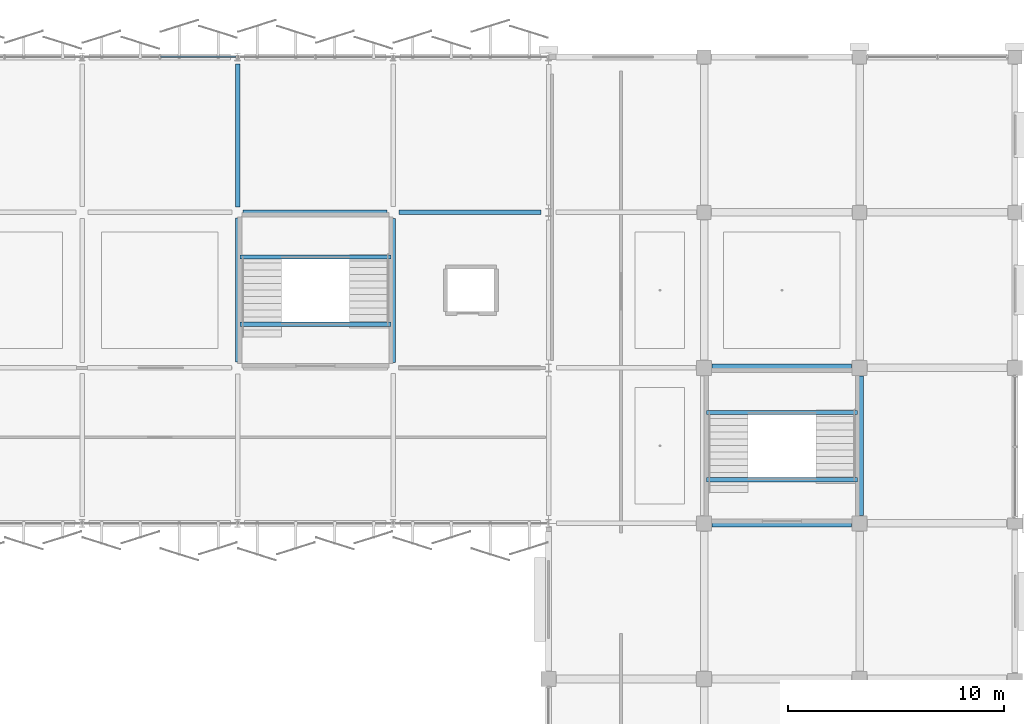
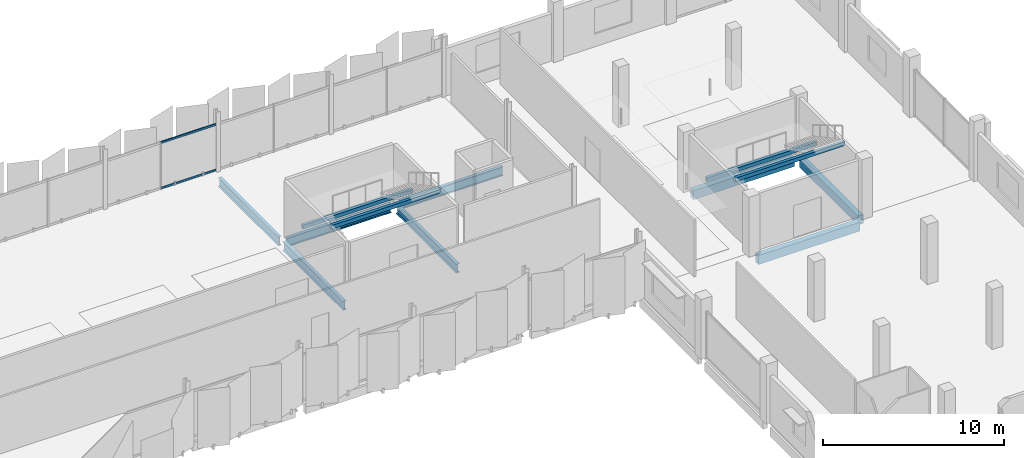
# One storey, part 54 of 91: 12 beams, 2 members, 1 element without a shape of its own.
"""IFC4 building model written with IfcOpenShell, lengths in metres."""

from ifc_helpers import new_model, si_unit, direction, frame, origin, origin_2d, place, context, subcontext, project, spatial, rectangle, hollow_rectangle, i_section, extrude, material, layer, layer_set, material_profile, profile_set, type_object, element, aggregate, save


model = new_model("IFC4")

# Units and contexts
model_context = context("Model", 3, precision=1e-05, world=origin(), true_north=direction((0.0, 1.0)))
body_context = subcontext(model_context, "Body", "Model", "MODEL_VIEW")
ifc_project = project(units=[si_unit("LENGTHUNIT", "METRE"), si_unit("AREAUNIT", "SQUARE_METRE"), si_unit("VOLUMEUNIT", "CUBIC_METRE"), si_unit("PLANEANGLEUNIT", "RADIAN"), si_unit("MASSUNIT", "GRAM", prefix="KILO")], contexts=[model_context])

# Site, building, storey
site_placement = place(None, origin())
site = spatial("IfcSite", under=ifc_project, at=site_placement, CompositionType="ELEMENT")
building_placement = place(site_placement, origin())
building = spatial("IfcBuilding", under=site, at=building_placement, Name="Kangsadwip Square Police Headquarters", CompositionType="ELEMENT")
storey_placement = place(building_placement, frame((0.0, 0.0, 13.5)))
storey = spatial("IfcBuildingStorey", under=building, at=storey_placement, Name="L03", CompositionType="ELEMENT", Elevation=13.5)

# Curtain wall, members
ifc_material_1 = material(Name="Thermally broken anodised aluminium AW-6063-T6", Category="aluminium")
ifc_layer = layer(ifc_material_1, 0.159912109375)
ifc_layer_set = layer_set([ifc_layer], Name="Thermally broken anodised aluminium AW-6063-T6")
curtain_wall_type = type_object("IfcCurtainWallType", Name="UnitisedCw7180x3200", PredefinedType="NOTDEFINED", material=ifc_layer_set)
curtain_wall_placement = place(storey_placement, origin())
curtain_wall = element("IfcCurtainWall", 1, at=curtain_wall_placement, inside=storey, type_object=curtain_wall_type, Name="Curtain Wall CW-L03-1224-1152", PredefinedType="NOTDEFINED")
ifc_material_2 = material(Name="Thermally broken anodised aluminium AW-6063-T6", Category="aluminium")
ifc_material_profile_1 = material_profile(ifc_material_2, hollow_rectangle(XDim=0.06494140625, YDim=0.1298828125, WallThickness=0.00390625, at=origin_2d()), Name="CWT 130X65X4")
ifc_profile_set_1 = profile_set([ifc_material_profile_1], Name="Thermally broken anodised aluminium AW-6063-T6")
member_type = type_object("IfcMemberType", Name="CwTransom140x60", PredefinedType="USERDEFINED", material=ifc_profile_set_1)
member_1_placement = place(storey_placement, frame((126.032470703125, 115.199951171875, 0.06494140625), z_axis=(1.0, 0.0, 0.0), x_axis=(0.0, 1.0, 0.0)))
member_1 = element("IfcMember", 2, at=member_1_placement, type_object=member_type, Name="CW-38 transom 2.1", ObjectType="TRANSOM", PredefinedType="USERDEFINED", context=body_context, shape_type="SweptSolid", body=[
    extrude(hollow_rectangle(XDim=0.06494140625, YDim=0.1298828125, WallThickness=0.00390625, at=origin_2d()), origin(), (0.0, 0.0, 1.0), 3.492431640625),
])
member_2_placement = place(storey_placement, frame((126.032470703125, 115.199951171875, 3.135009765625), z_axis=(1.0, 0.0, 0.0), x_axis=(0.0, 1.0, 0.0)))
member_2 = element("IfcMember", 3, at=member_2_placement, type_object=member_type, Name="CW-38 transom 2.2", ObjectType="TRANSOM", PredefinedType="USERDEFINED", context=body_context, shape_type="SweptSolid", body=[
    extrude(hollow_rectangle(XDim=0.06494140625, YDim=0.1298828125, WallThickness=0.00390625, at=origin_2d()), origin(), (0.0, 0.0, 1.0), 3.492431640625),
])
aggregate(curtain_wall, [member_1, member_2])

# Beams
ifc_material_3 = material(Name="Concrete M35 (35 MPa)", Category="concrete")
ifc_material_profile_2 = material_profile(ifc_material_3, rectangle(XDim=0.35009765625, YDim=0.60009765625, at=origin_2d()), Name="RC BM 600X350")
ifc_profile_set_2 = profile_set([ifc_material_profile_2], Name="Concrete M35 (35 MPa)")
beam_type_1 = type_object("IfcBeamType", Name="RcBeam600x350", PredefinedType="BEAM", material=ifc_profile_set_2)
for number, where, z_axis, x_axis, name in (
    (4, (151.574951171875, 93.60009765625, -0.5400390625), (1.0, 0.0, 0.0), (0.0, 1.0, 0.0), "Beam BM-L03-X-21-13"),
    (5, (151.574951171875, 100.800048828125, -0.5400390625), (1.0, 0.0, 0.0), (0.0, 1.0, 0.0), "Beam BM-L03-X-21-14"),
    (6, (158.39990234375, 93.97509765625, -0.5400390625), (0.0, 1.0, 0.0), (-1.0, 0.0, 0.0), "Beam BM-L03-Y-22-13"),
):
    element("IfcBeam", number, at=place(storey_placement, frame(where, z_axis=z_axis, x_axis=x_axis)), inside=storey, type_object=beam_type_1, Name=name, PredefinedType="BEAM", context=body_context, shape_type="SweptSolid", body=[
        extrude(rectangle(XDim=0.35009765625, YDim=0.60009765625, at=origin_2d()), origin(), (0.0, 0.0, 1.0), 6.449951171875),
    ])
ifc_material_4 = material(Name="Concrete M30 (30 MPa)", Category="concrete")
ifc_material_profile_3 = material_profile(ifc_material_4, rectangle(XDim=0.199951171875, YDim=0.25, at=origin_2d()), Name="RC LNT 250X200")
ifc_profile_set_3 = profile_set([ifc_material_profile_3], Name="Concrete M30 (30 MPa)")
beam_type_2 = type_object("IfcBeamType", Name="RcLintel250x200", PredefinedType="LINTEL", material=ifc_profile_set_3)
for number, where, z_axis, x_axis, name in (
    (7, (151.300048828125, 98.739990234375, 1.801025390625), (1.0, 0.0, 0.0), (0.0, 1.0, 0.0), "Stair Carriage and Landing Beam BM-ST-L03-065"),
    (8, (151.300048828125, 95.6201171875, 3.68505859375), (1.0, 0.0, 0.0), (0.0, 1.0, 0.0), "Stair Carriage and Landing Beam BM-ST-L03-066"),
    (9, (129.699951171875, 105.93994140625, 1.801025390625), (1.0, 0.0, 0.0), (0.0, 1.0, 0.0), "Stair Carriage and Landing Beam BM-ST-L03-076"),
    (10, (129.699951171875, 102.820068359375, 3.68505859375), (1.0, 0.0, 0.0), (0.0, 1.0, 0.0), "Stair Carriage and Landing Beam BM-ST-L03-077"),
):
    element("IfcBeam", number, at=place(storey_placement, frame(where, z_axis=z_axis, x_axis=x_axis)), inside=storey, type_object=beam_type_2, Name=name, PredefinedType="BEAM", context=body_context, shape_type="SweptSolid", body=[
        extrude(rectangle(XDim=0.199951171875, YDim=0.25, at=origin_2d()), origin(), (0.0, 0.0, 1.0), 7.0),
    ])
ifc_material_5 = material(Name="Structural steel IS 2062 E350 (Grade 350, 350 MPa)", Category="steel")
ifc_material_profile_4 = material_profile(ifc_material_5, i_section(OverallWidth=0.2099609375, OverallDepth=0.60009765625, WebThickness=0.011962890625, FlangeThickness=0.020751953125, at=origin_2d()), Name="ISMB 600")
ifc_profile_set_4 = profile_set([ifc_material_profile_4], Name="Structural steel IS 2062 E350 (Grade 350, 350 MPa)")
beam_type_3 = type_object("IfcBeamType", Name="SteelBeamIsmb600", PredefinedType="BEAM", material=ifc_profile_set_4)
beam_1_placement = place(storey_placement, frame((129.85009765625, 108.0, -0.5400390625), z_axis=(1.0, 0.0, 0.0), x_axis=(0.0, 1.0, 0.0)))
element("IfcBeam", 11, at=beam_1_placement, inside=storey, type_object=beam_type_3, Name="Beam BM-L03-X-18-15", PredefinedType="BEAM", context=body_context, shape_type="SweptSolid", body=[
    extrude(i_section(OverallWidth=0.2099609375, OverallDepth=0.60009765625, WebThickness=0.011962890625, FlangeThickness=0.020751953125, at=origin_2d()), origin(), (0.0, 0.0, 1.0), 6.6748046875),
])
beam_2_placement = place(storey_placement, frame((137.074951171875, 108.0, -0.5400390625), z_axis=(1.0, 0.0, 0.0), x_axis=(0.0, 1.0, 0.0)))
element("IfcBeam", 12, at=beam_2_placement, inside=storey, type_object=beam_type_3, Name="Beam BM-L03-X-19-15", PredefinedType="BEAM", context=body_context, shape_type="SweptSolid", body=[
    extrude(i_section(OverallWidth=0.2099609375, OverallDepth=0.60009765625, WebThickness=0.011962890625, FlangeThickness=0.020751953125, at=origin_2d()), origin(), (0.0, 0.0, 1.0), 6.574951171875),
])
beam_3_placement = place(storey_placement, frame((129.60009765625, 101.074951171875, -0.5400390625), z_axis=(0.0, 1.0, 0.0), x_axis=(-1.0, 0.0, 0.0)))
element("IfcBeam", 13, at=beam_3_placement, inside=storey, type_object=beam_type_3, Name="Beam BM-L03-Y-18-14", PredefinedType="BEAM", context=body_context, shape_type="SweptSolid", body=[
    extrude(i_section(OverallWidth=0.2099609375, OverallDepth=0.60009765625, WebThickness=0.011962890625, FlangeThickness=0.020751953125, at=origin_2d()), origin(), (0.0, 0.0, 1.0), 6.675048828125),
])
beam_4_placement = place(storey_placement, frame((129.60009765625, 108.25, -0.5400390625), z_axis=(0.0, 1.0, 0.0), x_axis=(-1.0, 0.0, 0.0)))
element("IfcBeam", 14, at=beam_4_placement, inside=storey, type_object=beam_type_3, Name="Beam BM-L03-Y-18-15", PredefinedType="BEAM", context=body_context, shape_type="SweptSolid", body=[
    extrude(i_section(OverallWidth=0.2099609375, OverallDepth=0.60009765625, WebThickness=0.011962890625, FlangeThickness=0.020751953125, at=origin_2d()), origin(), (0.0, 0.0, 1.0), 6.625),
])
beam_5_placement = place(storey_placement, frame((136.800048828125, 101.050048828125, -0.5400390625), z_axis=(0.0, 1.0, 0.0), x_axis=(-1.0, 0.0, 0.0)))
element("IfcBeam", 15, at=beam_5_placement, inside=storey, type_object=beam_type_3, Name="Beam BM-L03-Y-19-14", PredefinedType="BEAM", context=body_context, shape_type="SweptSolid", body=[
    extrude(i_section(OverallWidth=0.2099609375, OverallDepth=0.60009765625, WebThickness=0.011962890625, FlangeThickness=0.020751953125, at=origin_2d()), origin(), (0.0, 0.0, 1.0), 6.675048828125),
])

save(model, "model.ifc")
